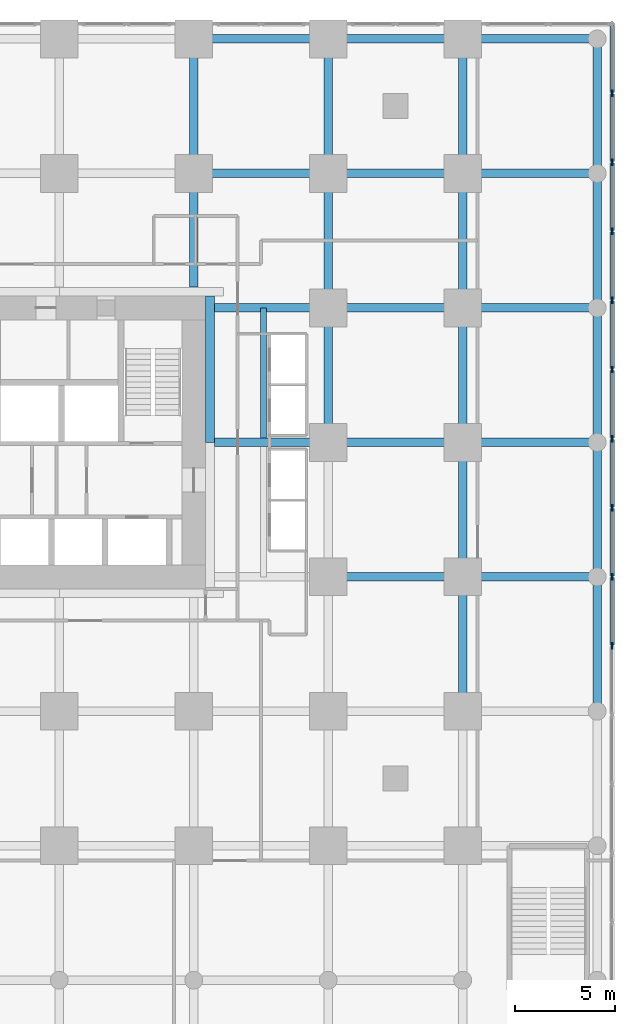
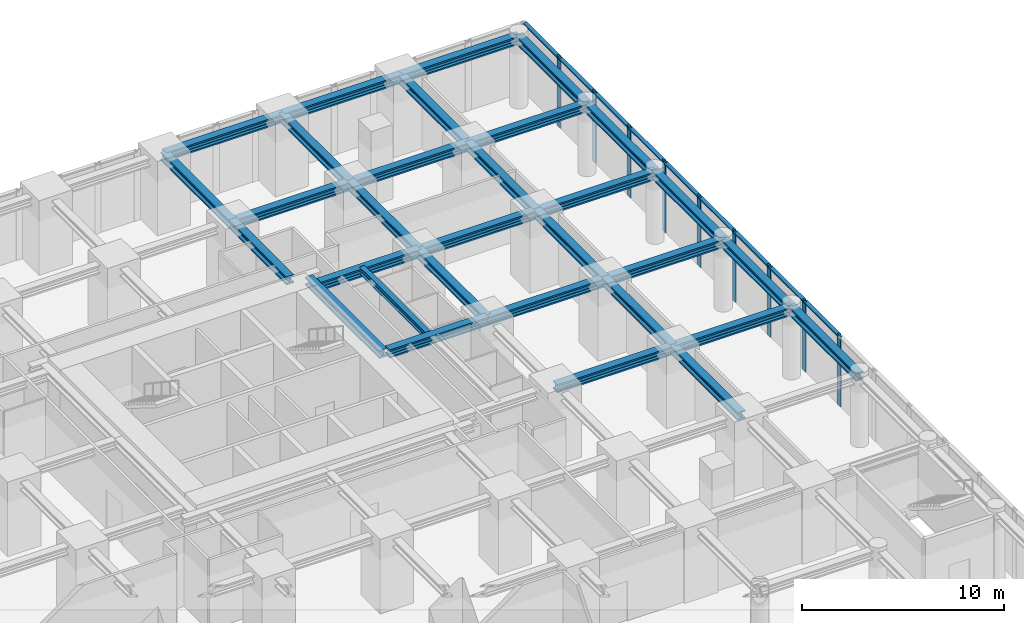
# One storey, part 5 of 11: 31 beams, 18 members, 1 element without a shape of its own.
"""IFC4 building model written with IfcOpenShell, lengths in metres."""

from ifc_helpers import new_model, si_unit, direction, frame, origin, origin_2d, place, context, subcontext, project, spatial, rectangle, i_section, extrude, material, material_profile, profile_set, type_object, element, aggregate, save


model = new_model("IFC4")

# Units and contexts
model_context = context("Model", 3, precision=1e-05, world=origin(), true_north=direction((0.0, 1.0)))
body_context = subcontext(model_context, "Body", "Model", "MODEL_VIEW")
ifc_project = project(units=[si_unit("LENGTHUNIT", "METRE"), si_unit("AREAUNIT", "SQUARE_METRE"), si_unit("VOLUMEUNIT", "CUBIC_METRE"), si_unit("PLANEANGLEUNIT", "RADIAN"), si_unit("MASSUNIT", "GRAM", prefix="KILO")], contexts=[model_context])

# Site, building, storey
site_placement = place(None, origin())
site = spatial("IfcSite", under=ifc_project, at=site_placement, CompositionType="ELEMENT")
building_placement = place(site_placement, origin())
building = spatial("IfcBuilding", under=site, at=building_placement, Name="Nyansa Garden Tower", CompositionType="ELEMENT")
storey_placement = place(building_placement, frame((0.0, 0.0, 4.5)))
storey = spatial("IfcBuildingStorey", under=building, at=storey_placement, Name="L01", CompositionType="ELEMENT", Elevation=4.5)

# Curtain wall, members
ifc_material_1 = material(Name="Black anodised aluminium, clear double glazing", Category="aluminium")
curtain_wall_type = type_object("IfcCurtainWallType", Name="Podium curtain wall PCW", PredefinedType="USERDEFINED", material=ifc_material_1)
curtain_wall_placement = place(storey_placement, origin())
curtain_wall = element("IfcCurtainWall", 1, at=curtain_wall_placement, inside=storey, type_object=curtain_wall_type, Name="Podium curtain wall L01 E", ObjectType="STICK CURTAIN WALL", PredefinedType="USERDEFINED")
ifc_material_2 = material(Name="Black anodised aluminium", Category="aluminium")
ifc_material_profile_1 = material_profile(ifc_material_2, rectangle(XDim=0.080078125, YDim=0.35009765625, at=origin_2d()), Name="Mullion 350x80")
ifc_profile_set_1 = profile_set([ifc_material_profile_1], Name="Black anodised aluminium")
member_type_1 = type_object("IfcMemberType", Name="Mullion PCW 350x80", PredefinedType="MULLION", material=ifc_profile_set_1)
member_1_placement = place(storey_placement, frame((48.0, 10.03125, 0.0), z_axis=(0.0, 0.0, 1.0), x_axis=(-1.0, 0.0, 0.0)))
member_1 = element("IfcMember", 2, at=member_1_placement, type_object=member_type_1, Name="PCW mullion 8", PredefinedType="MULLION", context=body_context, shape_type="SweptSolid", body=[
    extrude(rectangle(XDim=0.080078125, YDim=0.35009765625, at=origin_2d()), origin(), (0.0, 0.0, 1.0), 4.25),
])
member_2_placement = place(storey_placement, frame((48.0, 13.5, 0.0), z_axis=(0.0, 0.0, 1.0), x_axis=(-1.0, 0.0, 0.0)))
member_2 = element("IfcMember", 3, at=member_2_placement, type_object=member_type_1, Name="PCW mullion 9", PredefinedType="MULLION", context=body_context, shape_type="SweptSolid", body=[
    extrude(rectangle(XDim=0.080078125, YDim=0.35009765625, at=origin_2d()), origin(), (0.0, 0.0, 1.0), 4.25),
])
member_3_placement = place(storey_placement, frame((48.0, 16.96875, 0.0), z_axis=(0.0, 0.0, 1.0), x_axis=(-1.0, 0.0, 0.0)))
member_3 = element("IfcMember", 4, at=member_3_placement, type_object=member_type_1, Name="PCW mullion 10", PredefinedType="MULLION", context=body_context, shape_type="SweptSolid", body=[
    extrude(rectangle(XDim=0.080078125, YDim=0.35009765625, at=origin_2d()), origin(), (0.0, 0.0, 1.0), 4.25),
])
member_4_placement = place(storey_placement, frame((48.0, 20.4375, 0.0), z_axis=(0.0, 0.0, 1.0), x_axis=(-1.0, 0.0, 0.0)))
member_4 = element("IfcMember", 5, at=member_4_placement, type_object=member_type_1, Name="PCW mullion 11", PredefinedType="MULLION", context=body_context, shape_type="SweptSolid", body=[
    extrude(rectangle(XDim=0.080078125, YDim=0.35009765625, at=origin_2d()), origin(), (0.0, 0.0, 1.0), 4.25),
])
member_5_placement = place(storey_placement, frame((48.0, 23.90625, 0.0), z_axis=(0.0, 0.0, 1.0), x_axis=(-1.0, 0.0, 0.0)))
member_5 = element("IfcMember", 6, at=member_5_placement, type_object=member_type_1, Name="PCW mullion 12", PredefinedType="MULLION", context=body_context, shape_type="SweptSolid", body=[
    extrude(rectangle(XDim=0.080078125, YDim=0.35009765625, at=origin_2d()), origin(), (0.0, 0.0, 1.0), 4.25),
])
member_6_placement = place(storey_placement, frame((48.0, 27.375, 0.0), z_axis=(0.0, 0.0, 1.0), x_axis=(-1.0, 0.0, 0.0)))
member_6 = element("IfcMember", 7, at=member_6_placement, type_object=member_type_1, Name="PCW mullion 13", PredefinedType="MULLION", context=body_context, shape_type="SweptSolid", body=[
    extrude(rectangle(XDim=0.080078125, YDim=0.35009765625, at=origin_2d()), origin(), (0.0, 0.0, 1.0), 4.25),
])
member_7_placement = place(storey_placement, frame((48.0, 30.84375, 0.0), z_axis=(0.0, 0.0, 1.0), x_axis=(-1.0, 0.0, 0.0)))
member_7 = element("IfcMember", 8, at=member_7_placement, type_object=member_type_1, Name="PCW mullion 14", PredefinedType="MULLION", context=body_context, shape_type="SweptSolid", body=[
    extrude(rectangle(XDim=0.080078125, YDim=0.35009765625, at=origin_2d()), origin(), (0.0, 0.0, 1.0), 4.25),
])
member_8_placement = place(storey_placement, frame((48.0, 34.3125, 0.0), z_axis=(0.0, 0.0, 1.0), x_axis=(-1.0, 0.0, 0.0)))
member_8 = element("IfcMember", 9, at=member_8_placement, type_object=member_type_1, Name="PCW mullion 15", PredefinedType="MULLION", context=body_context, shape_type="SweptSolid", body=[
    extrude(rectangle(XDim=0.080078125, YDim=0.35009765625, at=origin_2d()), origin(), (0.0, 0.0, 1.0), 4.25),
])
member_9_placement = place(storey_placement, frame((48.0, 37.78125, 0.0), z_axis=(0.0, 0.0, 1.0), x_axis=(-1.0, 0.0, 0.0)))
member_9 = element("IfcMember", 10, at=member_9_placement, type_object=member_type_1, Name="PCW mullion 16", PredefinedType="MULLION", context=body_context, shape_type="SweptSolid", body=[
    extrude(rectangle(XDim=0.080078125, YDim=0.35009765625, at=origin_2d()), origin(), (0.0, 0.0, 1.0), 4.25),
])

# Beams
ifc_material_3 = material(Name="Steel S355", Category="steel")
ifc_material_profile_2 = material_profile(ifc_material_3, i_section(OverallWidth=0.431884765625, OverallDepth=0.498046875, WebThickness=0.0556640625, FlangeThickness=0.0888671875, FilletRadius=0.014892578125, at=origin_2d()), Name="HD 400x744")
ifc_profile_set_2 = profile_set([ifc_material_profile_2], Name="Steel S355")
beam_type_1 = type_object("IfcBeamType", Name="Steel beam SBP1-744 HD 400x744", PredefinedType="BEAM", material=ifc_profile_set_2)
for number, where, z_axis, x_axis, name in (
    (11, (28.050048828125, 20.25, 4.0009765625), (1.0, 0.0, 0.0), (0.0, 1.0, 0.0), "Steel beam 28.050/G-7/G L02"),
    (12, (27.0, 28.050048828125, 4.0009765625), (0.0, 1.0, 0.0), (-1.0, 0.0, 0.0), "Steel beam 6/28.050-6/J L02"),
    (13, (28.050048828125, 27.0, 4.0009765625), (1.0, 0.0, 0.0), (0.0, 1.0, 0.0), "Steel beam 28.050/H-7/H L02"),
):
    element("IfcBeam", number, at=place(storey_placement, frame(where, z_axis=z_axis, x_axis=x_axis)), inside=storey, type_object=beam_type_1, Name=name, PredefinedType="BEAM", context=body_context, shape_type="SweptSolid", body=[
        extrude(i_section(OverallWidth=0.431884765625, OverallDepth=0.498046875, WebThickness=0.0556640625, FlangeThickness=0.0888671875, FilletRadius=0.014892578125, at=origin_2d()), origin(), (0.0, 0.0, 1.0), 5.699951171875),
    ])
for number, where, z_axis, x_axis, name in (
    (14, (27.0, 33.75, 4.0009765625), (0.0, 1.0, 0.0), (-1.0, 0.0, 0.0), "Steel beam 6/J-6/K L02"),
    (15, (27.0, 33.75, 4.0009765625), (1.0, 0.0, 0.0), (0.0, 1.0, 0.0), "Steel beam 6/J-7/J L02"),
    (16, (33.75, 13.5, 4.0009765625), (1.0, 0.0, 0.0), (0.0, 1.0, 0.0), "Steel beam 7/F-8/F L02"),
    (17, (33.75, 20.25, 4.0009765625), (0.0, 1.0, 0.0), (-1.0, 0.0, 0.0), "Steel beam 7/G-7/H L02"),
    (18, (33.75, 20.25, 4.0009765625), (1.0, 0.0, 0.0), (0.0, 1.0, 0.0), "Steel beam 7/G-8/G L02"),
    (19, (33.75, 27.0, 4.0009765625), (0.0, 1.0, 0.0), (-1.0, 0.0, 0.0), "Steel beam 7/H-7/J L02"),
    (20, (33.75, 27.0, 4.0009765625), (1.0, 0.0, 0.0), (0.0, 1.0, 0.0), "Steel beam 7/H-8/H L02"),
    (21, (33.75, 33.75, 4.0009765625), (0.0, 1.0, 0.0), (-1.0, 0.0, 0.0), "Steel beam 7/J-7/K L02"),
    (22, (33.75, 33.75, 4.0009765625), (1.0, 0.0, 0.0), (0.0, 1.0, 0.0), "Steel beam 7/J-8/J L02"),
    (23, (40.5, 6.75, 4.0009765625), (0.0, 1.0, 0.0), (-1.0, 0.0, 0.0), "Steel beam 8/E-8/F L02"),
    (24, (40.5, 13.5, 4.0009765625), (0.0, 1.0, 0.0), (-1.0, 0.0, 0.0), "Steel beam 8/F-8/G L02"),
    (25, (40.5, 13.5, 4.0009765625), (1.0, 0.0, 0.0), (0.0, 1.0, 0.0), "Steel beam 8/F-9/F L02"),
    (26, (40.5, 20.25, 4.0009765625), (0.0, 1.0, 0.0), (-1.0, 0.0, 0.0), "Steel beam 8/G-8/H L02"),
    (27, (40.5, 20.25, 4.0009765625), (1.0, 0.0, 0.0), (0.0, 1.0, 0.0), "Steel beam 8/G-9/G L02"),
    (28, (40.5, 27.0, 4.0009765625), (0.0, 1.0, 0.0), (-1.0, 0.0, 0.0), "Steel beam 8/H-8/J L02"),
    (29, (40.5, 27.0, 4.0009765625), (1.0, 0.0, 0.0), (0.0, 1.0, 0.0), "Steel beam 8/H-9/H L02"),
    (30, (40.5, 33.75, 4.0009765625), (0.0, 1.0, 0.0), (-1.0, 0.0, 0.0), "Steel beam 8/J-8/K L02"),
    (31, (40.5, 33.75, 4.0009765625), (1.0, 0.0, 0.0), (0.0, 1.0, 0.0), "Steel beam 8/J-9/J L02"),
):
    element("IfcBeam", number, at=place(storey_placement, frame(where, z_axis=z_axis, x_axis=x_axis)), inside=storey, type_object=beam_type_1, Name=name, PredefinedType="BEAM", context=body_context, shape_type="SweptSolid", body=[
        extrude(i_section(OverallWidth=0.431884765625, OverallDepth=0.498046875, WebThickness=0.0556640625, FlangeThickness=0.0888671875, FilletRadius=0.014892578125, at=origin_2d()), origin(), (0.0, 0.0, 1.0), 6.75),
    ])
ifc_material_4 = material(Name="Steel S355", Category="steel")
ifc_material_profile_3 = material_profile(ifc_material_4, i_section(OverallWidth=0.431884765625, OverallDepth=0.498046875, WebThickness=0.0556640625, FlangeThickness=0.0888671875, FilletRadius=0.014892578125, at=origin_2d()), Name="HD 400x744")
ifc_profile_set_3 = profile_set([ifc_material_profile_3], Name="Steel S355")
beam_type_2 = type_object("IfcBeamType", Name="Steel beam SEBP-744 HD 400x744", PredefinedType="BEAM", material=ifc_profile_set_3)
for number, where, z_axis, x_axis, name in (
    (32, (27.0, 40.5, 4.0009765625), (1.0, 0.0, 0.0), (0.0, 1.0, 0.0), "Steel edge beam 6/K-7/K L02"),
    (33, (33.75, 40.5, 4.0009765625), (1.0, 0.0, 0.0), (0.0, 1.0, 0.0), "Steel edge beam 7/K-8/K L02"),
    (34, (40.5, 40.5, 4.0009765625), (1.0, 0.0, 0.0), (0.0, 1.0, 0.0), "Steel edge beam 8/K-9/K L02"),
    (35, (47.25, 6.75, 4.0009765625), (0.0, 1.0, 0.0), (-1.0, 0.0, 0.0), "Steel edge beam 9/E-9/F L02"),
    (36, (47.25, 13.5, 4.0009765625), (0.0, 1.0, 0.0), (-1.0, 0.0, 0.0), "Steel edge beam 9/F-9/G L02"),
    (37, (47.25, 20.25, 4.0009765625), (0.0, 1.0, 0.0), (-1.0, 0.0, 0.0), "Steel edge beam 9/G-9/H L02"),
    (38, (47.25, 27.0, 4.0009765625), (0.0, 1.0, 0.0), (-1.0, 0.0, 0.0), "Steel edge beam 9/H-9/J L02"),
    (39, (47.25, 33.75, 4.0009765625), (0.0, 1.0, 0.0), (-1.0, 0.0, 0.0), "Steel edge beam 9/J-9/K L02"),
):
    element("IfcBeam", number, at=place(storey_placement, frame(where, z_axis=z_axis, x_axis=x_axis)), inside=storey, type_object=beam_type_2, Name=name, PredefinedType="BEAM", context=body_context, shape_type="SweptSolid", body=[
        extrude(i_section(OverallWidth=0.431884765625, OverallDepth=0.498046875, WebThickness=0.0556640625, FlangeThickness=0.0888671875, FilletRadius=0.014892578125, at=origin_2d()), origin(), (0.0, 0.0, 1.0), 6.75),
    ])
ifc_material_5 = material(Name="Steel S355", Category="steel")
ifc_material_profile_4 = material_profile(ifc_material_5, i_section(OverallWidth=0.431884765625, OverallDepth=0.498046875, WebThickness=0.0556640625, FlangeThickness=0.0888671875, FilletRadius=0.014892578125, at=origin_2d()), Name="HD 400x744")
ifc_profile_set_4 = profile_set([ifc_material_profile_4], Name="Steel S355")
beam_type_3 = type_object("IfcBeamType", Name="Steel beam SLB1-744 HD 400x744", PredefinedType="BEAM", material=ifc_profile_set_4)
beam_1_placement = place(storey_placement, frame((27.81591796875, 20.25, 4.0009765625), z_axis=(0.0, 1.0, 0.0), x_axis=(-1.0, 0.0, 0.0)))
element("IfcBeam", 40, at=beam_1_placement, inside=storey, type_object=beam_type_3, Name="Steel core ledger beam E.2 L02", PredefinedType="BEAM", context=body_context, shape_type="SweptSolid", body=[
    extrude(i_section(OverallWidth=0.431884765625, OverallDepth=0.498046875, WebThickness=0.0556640625, FlangeThickness=0.0888671875, FilletRadius=0.014892578125, at=origin_2d()), origin(), (0.0, 0.0, 1.0), 7.35009765625),
])

# Member
ifc_material_6 = material(Name="Black anodised aluminium", Category="aluminium")
ifc_material_profile_5 = material_profile(ifc_material_6, rectangle(XDim=0.219970703125, YDim=0.080078125, at=origin_2d()), Name="Transom 220x80")
ifc_profile_set_5 = profile_set([ifc_material_profile_5], Name="Black anodised aluminium")
member_type_2 = type_object("IfcMemberType", Name="Transom PCW 220x80", PredefinedType="USERDEFINED", material=ifc_profile_set_5)
member_10_placement = place(storey_placement, frame((48.0, 10.0712890625, 4.2099609375), z_axis=(0.0, 1.0, 0.0), x_axis=(-1.0, 0.0, 0.0)))
member_10 = element("IfcMember", 41, at=member_10_placement, type_object=member_type_2, Name="PCW transom 8", ObjectType="TRANSOM", PredefinedType="USERDEFINED", context=body_context, shape_type="SweptSolid", body=[
    extrude(rectangle(XDim=0.219970703125, YDim=0.080078125, at=origin_2d()), origin(), (0.0, 0.0, 1.0), 3.388671875),
])

member_11_placement = place(storey_placement, frame((48.0, 13.5400390625, 4.2099609375), z_axis=(0.0, 1.0, 0.0), x_axis=(-1.0, 0.0, 0.0)))
member_11 = element("IfcMember", 42, at=member_11_placement, type_object=member_type_2, Name="PCW transom 9", ObjectType="TRANSOM", PredefinedType="USERDEFINED", context=body_context, shape_type="SweptSolid", body=[
    extrude(rectangle(XDim=0.219970703125, YDim=0.080078125, at=origin_2d()), origin(), (0.0, 0.0, 1.0), 3.388671875),
])

member_12_placement = place(storey_placement, frame((48.0, 17.0087890625, 4.2099609375), z_axis=(0.0, 1.0, 0.0), x_axis=(-1.0, 0.0, 0.0)))
member_12 = element("IfcMember", 43, at=member_12_placement, type_object=member_type_2, Name="PCW transom 10", ObjectType="TRANSOM", PredefinedType="USERDEFINED", context=body_context, shape_type="SweptSolid", body=[
    extrude(rectangle(XDim=0.219970703125, YDim=0.080078125, at=origin_2d()), origin(), (0.0, 0.0, 1.0), 3.388671875),
])

member_13_placement = place(storey_placement, frame((48.0, 20.4775390625, 4.2099609375), z_axis=(0.0, 1.0, 0.0), x_axis=(-1.0, 0.0, 0.0)))
member_13 = element("IfcMember", 44, at=member_13_placement, type_object=member_type_2, Name="PCW transom 11", ObjectType="TRANSOM", PredefinedType="USERDEFINED", context=body_context, shape_type="SweptSolid", body=[
    extrude(rectangle(XDim=0.219970703125, YDim=0.080078125, at=origin_2d()), origin(), (0.0, 0.0, 1.0), 3.388671875),
])

member_14_placement = place(storey_placement, frame((48.0, 23.9462890625, 4.2099609375), z_axis=(0.0, 1.0, 0.0), x_axis=(-1.0, 0.0, 0.0)))
member_14 = element("IfcMember", 45, at=member_14_placement, type_object=member_type_2, Name="PCW transom 12", ObjectType="TRANSOM", PredefinedType="USERDEFINED", context=body_context, shape_type="SweptSolid", body=[
    extrude(rectangle(XDim=0.219970703125, YDim=0.080078125, at=origin_2d()), origin(), (0.0, 0.0, 1.0), 3.388671875),
])

member_15_placement = place(storey_placement, frame((48.0, 27.4150390625, 4.2099609375), z_axis=(0.0, 1.0, 0.0), x_axis=(-1.0, 0.0, 0.0)))
member_15 = element("IfcMember", 46, at=member_15_placement, type_object=member_type_2, Name="PCW transom 13", ObjectType="TRANSOM", PredefinedType="USERDEFINED", context=body_context, shape_type="SweptSolid", body=[
    extrude(rectangle(XDim=0.219970703125, YDim=0.080078125, at=origin_2d()), origin(), (0.0, 0.0, 1.0), 3.388671875),
])

member_16_placement = place(storey_placement, frame((48.0, 30.8837890625, 4.2099609375), z_axis=(0.0, 1.0, 0.0), x_axis=(-1.0, 0.0, 0.0)))
member_16 = element("IfcMember", 47, at=member_16_placement, type_object=member_type_2, Name="PCW transom 14", ObjectType="TRANSOM", PredefinedType="USERDEFINED", context=body_context, shape_type="SweptSolid", body=[
    extrude(rectangle(XDim=0.219970703125, YDim=0.080078125, at=origin_2d()), origin(), (0.0, 0.0, 1.0), 3.388671875),
])

member_17_placement = place(storey_placement, frame((48.0, 34.3525390625, 4.2099609375), z_axis=(0.0, 1.0, 0.0), x_axis=(-1.0, 0.0, 0.0)))
member_17 = element("IfcMember", 48, at=member_17_placement, type_object=member_type_2, Name="PCW transom 15", ObjectType="TRANSOM", PredefinedType="USERDEFINED", context=body_context, shape_type="SweptSolid", body=[
    extrude(rectangle(XDim=0.219970703125, YDim=0.080078125, at=origin_2d()), origin(), (0.0, 0.0, 1.0), 3.388671875),
])

member_18_placement = place(storey_placement, frame((48.0, 37.8212890625, 4.2099609375), z_axis=(0.0, 1.0, 0.0), x_axis=(-1.0, 0.0, 0.0)))
member_18 = element("IfcMember", 49, at=member_18_placement, type_object=member_type_2, Name="PCW transom 16", ObjectType="TRANSOM", PredefinedType="USERDEFINED", context=body_context, shape_type="SweptSolid", body=[
    extrude(rectangle(XDim=0.219970703125, YDim=0.080078125, at=origin_2d()), origin(), (0.0, 0.0, 1.0), 3.3486328125),
])

aggregate(curtain_wall, [member_1, member_2, member_3, member_4, member_5, member_6, member_7, member_8, member_9, member_10, member_11, member_12, member_13, member_14, member_15, member_16, member_17, member_18])

# Beam
ifc_material_7 = material(Name="Steel S355", Category="steel")
ifc_material_profile_6 = material_profile(ifc_material_7, i_section(OverallWidth=0.300048828125, OverallDepth=0.39990234375, WebThickness=0.013427734375, FlangeThickness=0.02392578125, FilletRadius=0.027099609375, at=origin_2d()), Name="HE 400 B")
ifc_profile_set_6 = profile_set([ifc_material_profile_6], Name="Steel S355")
beam_type_4 = type_object("IfcBeamType", Name="Trimmer beam TR1 HE 400 B", PredefinedType="BEAM", material=ifc_profile_set_6)
beam_2_placement = place(storey_placement, frame((30.5, 20.466064453125, 4.050048828125), z_axis=(0.0, 1.0, 0.0), x_axis=(-1.0, 0.0, 0.0)))
element("IfcBeam", 50, at=beam_2_placement, inside=storey, type_object=beam_type_4, Name="Trimmer beam 2 L02", PredefinedType="BEAM", context=body_context, shape_type="SweptSolid", body=[
    extrude(i_section(OverallWidth=0.300048828125, OverallDepth=0.39990234375, WebThickness=0.013427734375, FlangeThickness=0.02392578125, FilletRadius=0.027099609375, at=origin_2d()), origin(), (0.0, 0.0, 1.0), 6.533935546875),
])

save(model, "model.ifc")
